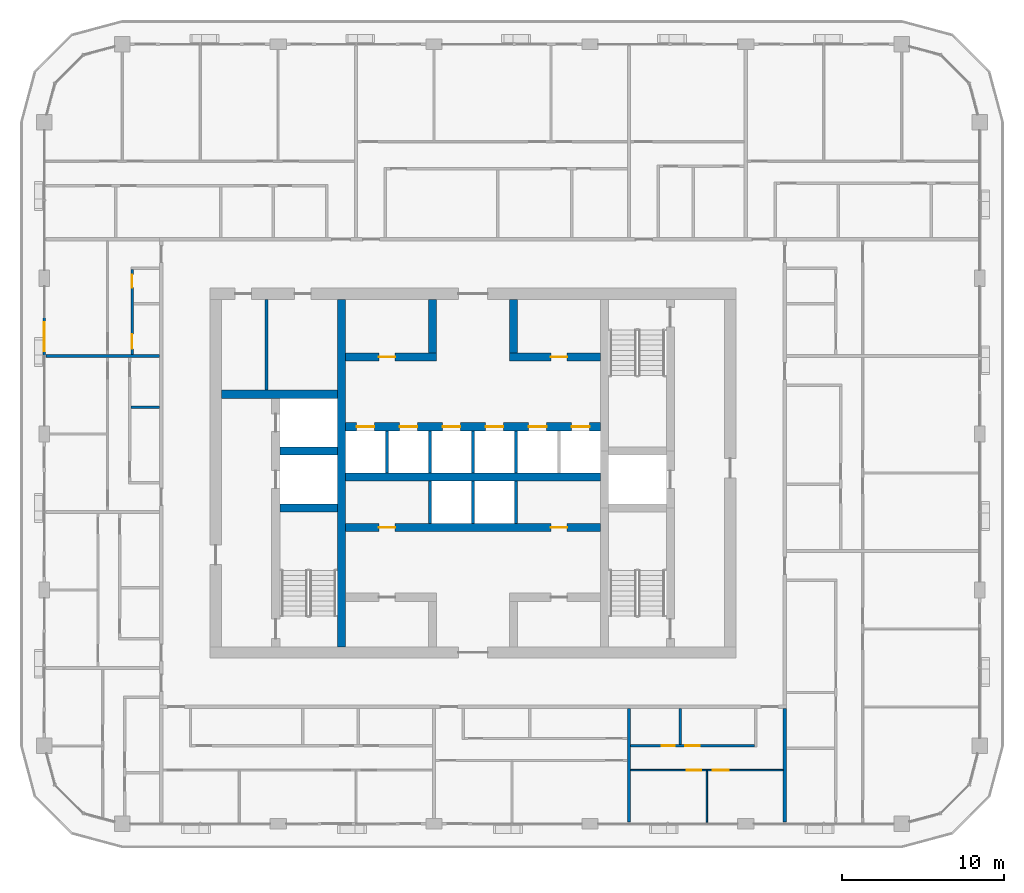
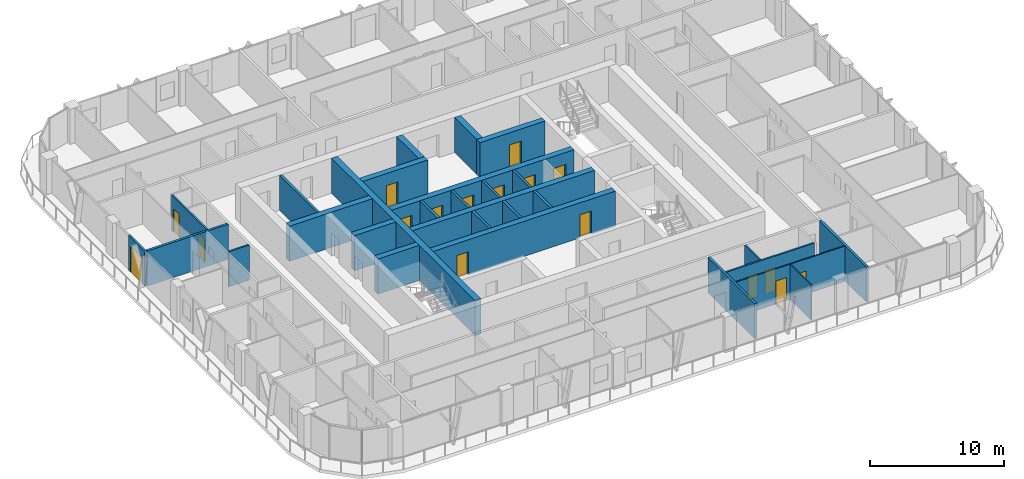
# One storey, part 11 of 22: 29 walls, 17 doors, 17 openings.
"""IFC4 building model written with IfcOpenShell, lengths in metres."""

from ifc_helpers import new_model, si_unit, direction, frame, frame_2d, origin, place, context, subcontext, project, spatial, rectangle, extrude, material, layer, layer_set, type_object, element, fill, save


model = new_model("IFC4")

# Units and contexts
model_context = context("Model", 3, precision=1e-05, world=origin(), true_north=direction((0.0, 1.0)))
body_context = subcontext(model_context, "Body", "Model", "MODEL_VIEW")
ifc_project = project(units=[si_unit("LENGTHUNIT", "METRE"), si_unit("AREAUNIT", "SQUARE_METRE"), si_unit("VOLUMEUNIT", "CUBIC_METRE"), si_unit("PLANEANGLEUNIT", "RADIAN"), si_unit("MASSUNIT", "GRAM", prefix="KILO")], contexts=[model_context])

# Site, building, storey
site_placement = place(None, origin())
site = spatial("IfcSite", under=ifc_project, at=site_placement, CompositionType="ELEMENT")
building_placement = place(site_placement, origin())
building = spatial("IfcBuilding", under=site, at=building_placement, Name="Madar Terraces", CompositionType="ELEMENT")
storey_placement = place(building_placement, frame((0.0, 0.0, 208.800048828125)))
storey = spatial("IfcBuildingStorey", under=building, at=storey_placement, Name="L54", CompositionType="ELEMENT", Elevation=208.800048828125)

# Walls
ifc_material_1 = material(Name="Concrete C60/75", Category="concrete")
ifc_layer_1 = layer(ifc_material_1, 0.5)
ifc_layer_set_1 = layer_set([ifc_layer_1], Name="Concrete C60/75 (CIW4 RC wall 500)")
wall_type_1 = type_object("IfcWallType", Name="CIW4 RC wall 500", PredefinedType="SHEAR", material=ifc_layer_set_1)
wall_1_placement = place(storey_placement, frame((23.10009765625, 15.699951171875, 0.0), z_axis=(0.0, 0.0, 1.0), x_axis=(0.0, 1.0, 0.0)))
element("IfcWall", 1, at=wall_1_placement, inside=storey, type_object=wall_type_1, Name="CORE SHAFT WALL", PredefinedType="SHEAR", context=body_context, shape_type="SweptSolid", body=[
    extrude(rectangle(XDim=21.400146484375, YDim=0.5, at=frame_2d((10.7001953125, 0.0))), origin(), (0.0, 0.0, 1.0), 3.199951171875),
])
for number, where, z_axis, x_axis, name in (
    (2, (19.300048828125, 24.25, 0.0), (0.0, 0.0, 1.0), (1.0, 0.0, 0.0), "CORE SHAFT WALL"),
    (3, (19.300048828125, 27.75, 0.0), (0.0, 0.0, 1.0), (1.0, 0.0, 0.0), "CORE SHAFT WALL"),
):
    element("IfcWall", number, at=place(storey_placement, frame(where, z_axis=z_axis, x_axis=x_axis)), inside=storey, type_object=wall_type_1, Name=name, PredefinedType="SHEAR", context=body_context, shape_type="SweptSolid", body=[
        extrude(rectangle(XDim=3.550048828125, YDim=0.5, at=frame_2d((1.77490234375, 0.0))), origin(), (0.0, 0.0, 1.0), 3.199951171875),
    ])
wall_2_placement = place(storey_placement, frame((15.699951171875, 31.25, 0.0), z_axis=(0.0, 0.0, 1.0), x_axis=(1.0, 0.0, 0.0)))
element("IfcWall", 4, at=wall_2_placement, inside=storey, type_object=wall_type_1, Name="CORE SHAFT WALL", PredefinedType="SHEAR", context=body_context, shape_type="SweptSolid", body=[
    extrude(rectangle(XDim=7.150146484375, YDim=0.5, at=frame_2d((3.5751953125, 0.0))), origin(), (0.0, 0.0, 1.0), 3.199951171875),
])

# Wall, openings, doors
wall_3_placement = place(storey_placement, frame((23.35009765625, 23.050048828125, 0.0), z_axis=(0.0, 0.0, 1.0), x_axis=(1.0, 0.0, 0.0)))
wall_3 = element("IfcWall", 5, at=wall_3_placement, inside=storey, type_object=wall_type_1, Name="CORE SHAFT WALL", PredefinedType="SHEAR", context=body_context, shape_type="SweptSolid", body=[
    extrude(rectangle(XDim=15.699951171875, YDim=0.5, at=frame_2d((7.85009765625, 0.0))), origin(), (0.0, 0.0, 1.0), 3.199951171875),
])
opening_1_placement = place(wall_3_placement, frame((2.050048828125, 0.0, 0.0)))
opening_1 = element("IfcOpeningElement", 6, at=opening_1_placement, cuts=wall_3, Name="Opening KD2", PredefinedType="OPENING", context=body_context, shape_type="SweptSolid", body=[
    extrude(rectangle(XDim=1.0, YDim=2.10009765625, at=frame_2d((0.5, 1.050048828125))), frame((0.0, 0.260009765625, 0.0), z_axis=(0.0, -1.0, 0.0), x_axis=(1.0, 0.0, 0.0)), (0.0, 0.0, 1.0), 0.52001953125),
])
opening_2_placement = place(wall_3_placement, frame((12.64990234375, 0.0, 0.0)))
opening_2 = element("IfcOpeningElement", 7, at=opening_2_placement, cuts=wall_3, Name="Opening KD2", PredefinedType="OPENING", context=body_context, shape_type="SweptSolid", body=[
    extrude(rectangle(XDim=1.0, YDim=2.10009765625, at=frame_2d((0.5, 1.050048828125))), frame((0.0, 0.260009765625, 0.0), z_axis=(0.0, -1.0, 0.0), x_axis=(1.0, 0.0, 0.0)), (0.0, 0.0, 1.0), 0.52001953125),
])
ifc_material_2 = material(Name="Steel door leaf", Category="steel")
door_type_1 = type_object("IfcDoorType", Name="Service room door 1000 x 2100", OperationType="NOTDEFINED", PredefinedType="DOOR", material=ifc_material_2)
door_1_placement = place(opening_1_placement, frame((1.0, 0.0, 0.0), z_axis=(0.0, 0.0, 1.0), x_axis=(-1.0, 0.0, 0.0)))
door_1 = element("IfcDoor", 8, at=door_1_placement, inside=storey, type_object=door_type_1, Name="SERVICE ROOM DOOR", OperationType="SINGLE_SWING_LEFT", OverallHeight=2.10009765625, OverallWidth=1.0, PredefinedType="DOOR", context=body_context, shape_type="SweptSolid", body=[
    extrude(rectangle(XDim=1.0, YDim=2.10009765625, at=frame_2d((0.5, 1.050048828125))), frame((0.0, 0.02490234375, 0.0), z_axis=(0.0, -1.0, 0.0), x_axis=(1.0, 0.0, 0.0)), (0.0, 0.0, 1.0), 0.050048828125),
])
fill(opening_1, door_1)
door_2_placement = place(opening_2_placement, frame((1.0, 0.0, 0.0), z_axis=(0.0, 0.0, 1.0), x_axis=(-1.0, 0.0, 0.0)))
door_2 = element("IfcDoor", 9, at=door_2_placement, inside=storey, type_object=door_type_1, Name="SERVICE ROOM DOOR", OperationType="SINGLE_SWING_RIGHT", OverallHeight=2.10009765625, OverallWidth=1.0, PredefinedType="DOOR", context=body_context, shape_type="SweptSolid", body=[
    extrude(rectangle(XDim=1.0, YDim=2.10009765625, at=frame_2d((0.5, 1.050048828125))), frame((0.0, 0.02490234375, 0.0), z_axis=(0.0, -1.0, 0.0), x_axis=(1.0, 0.0, 0.0)), (0.0, 0.0, 1.0), 0.050048828125),
])
fill(opening_2, door_2)

# Wall
wall_4_placement = place(storey_placement, frame((23.35009765625, 26.14990234375, 0.0), z_axis=(0.0, 0.0, 1.0), x_axis=(1.0, 0.0, 0.0)))
element("IfcWall", 10, at=wall_4_placement, inside=storey, type_object=wall_type_1, Name="CORE SHAFT WALL", PredefinedType="SHEAR", context=body_context, shape_type="SweptSolid", body=[
    extrude(rectangle(XDim=15.699951171875, YDim=0.5, at=frame_2d((7.85009765625, 0.0))), origin(), (0.0, 0.0, 1.0), 3.199951171875),
])

# Wall, openings, doors
wall_5_placement = place(storey_placement, frame((23.35009765625, 29.25, 0.0), z_axis=(0.0, 0.0, 1.0), x_axis=(1.0, 0.0, 0.0)))
wall_5 = element("IfcWall", 11, at=wall_5_placement, inside=storey, type_object=wall_type_1, Name="CORE SHAFT WALL", PredefinedType="SHEAR", context=body_context, shape_type="SweptSolid", body=[
    extrude(rectangle(XDim=15.699951171875, YDim=0.5, at=frame_2d((7.85009765625, 0.0))), origin(), (0.0, 0.0, 1.0), 3.199951171875),
])
opening_3_placement = place(wall_5_placement, frame((0.675048828125, 0.0, 0.0)))
opening_3 = element("IfcOpeningElement", 12, at=opening_3_placement, cuts=wall_5, Name="Opening LD", PredefinedType="OPENING", context=body_context, shape_type="SweptSolid", body=[
    extrude(rectangle(XDim=1.10009765625, YDim=2.10009765625, at=frame_2d((0.550048828125, 1.050048828125))), frame((0.0, 0.260009765625, 0.0), z_axis=(0.0, -1.0, 0.0), x_axis=(1.0, 0.0, 0.0)), (0.0, 0.0, 1.0), 0.52001953125),
])
opening_4_placement = place(wall_5_placement, frame((3.324951171875, 0.0, 0.0)))
opening_4 = element("IfcOpeningElement", 13, at=opening_4_placement, cuts=wall_5, Name="Opening LD", PredefinedType="OPENING", context=body_context, shape_type="SweptSolid", body=[
    extrude(rectangle(XDim=1.10009765625, YDim=2.10009765625, at=frame_2d((0.550048828125, 1.050048828125))), frame((0.0, 0.260009765625, 0.0), z_axis=(0.0, -1.0, 0.0), x_axis=(1.0, 0.0, 0.0)), (0.0, 0.0, 1.0), 0.52001953125),
])
opening_5_placement = place(wall_5_placement, frame((5.97509765625, 0.0, 0.0)))
opening_5 = element("IfcOpeningElement", 14, at=opening_5_placement, cuts=wall_5, Name="Opening LD", PredefinedType="OPENING", context=body_context, shape_type="SweptSolid", body=[
    extrude(rectangle(XDim=1.10009765625, YDim=2.10009765625, at=frame_2d((0.550048828125, 1.050048828125))), frame((0.0, 0.260009765625, 0.0), z_axis=(0.0, -1.0, 0.0), x_axis=(1.0, 0.0, 0.0)), (0.0, 0.0, 1.0), 0.52001953125),
])
opening_6_placement = place(wall_5_placement, frame((8.625, 0.0, 0.0)))
opening_6 = element("IfcOpeningElement", 15, at=opening_6_placement, cuts=wall_5, Name="Opening LD", PredefinedType="OPENING", context=body_context, shape_type="SweptSolid", body=[
    extrude(rectangle(XDim=1.10009765625, YDim=2.10009765625, at=frame_2d((0.550048828125, 1.050048828125))), frame((0.0, 0.260009765625, 0.0), z_axis=(0.0, -1.0, 0.0), x_axis=(1.0, 0.0, 0.0)), (0.0, 0.0, 1.0), 0.52001953125),
])
opening_7_placement = place(wall_5_placement, frame((11.27490234375, 0.0, 0.0)))
opening_7 = element("IfcOpeningElement", 16, at=opening_7_placement, cuts=wall_5, Name="Opening LD", PredefinedType="OPENING", context=body_context, shape_type="SweptSolid", body=[
    extrude(rectangle(XDim=1.10009765625, YDim=2.10009765625, at=frame_2d((0.550048828125, 1.050048828125))), frame((0.0, 0.260009765625, 0.0), z_axis=(0.0, -1.0, 0.0), x_axis=(1.0, 0.0, 0.0)), (0.0, 0.0, 1.0), 0.52001953125),
])
opening_8_placement = place(wall_5_placement, frame((13.925048828125, 0.0, 0.0)))
opening_8 = element("IfcOpeningElement", 17, at=opening_8_placement, cuts=wall_5, Name="Opening LD", PredefinedType="OPENING", context=body_context, shape_type="SweptSolid", body=[
    extrude(rectangle(XDim=1.10009765625, YDim=2.10009765625, at=frame_2d((0.550048828125, 1.050048828125))), frame((0.0, 0.260009765625, 0.0), z_axis=(0.0, -1.0, 0.0), x_axis=(1.0, 0.0, 0.0)), (0.0, 0.0, 1.0), 0.52001953125),
])
ifc_material_3 = material(Name="Stainless steel panel", Category="steel")
door_type_2 = type_object("IfcDoorType", Name="Lift landing door 1100 x 2100", OperationType="DOUBLE_DOOR_SLIDING", PredefinedType="DOOR", material=ifc_material_3)
door_3_placement = place(opening_3_placement, origin())
door_3 = element("IfcDoor", 18, at=door_3_placement, inside=storey, type_object=door_type_2, Name="LIFT LANDING DOOR", OperationType="DOUBLE_DOOR_SLIDING", OverallHeight=2.10009765625, OverallWidth=1.10009765625, PredefinedType="DOOR", context=body_context, shape_type="SweptSolid", body=[
    extrude(rectangle(XDim=1.10009765625, YDim=2.10009765625, at=frame_2d((0.550048828125, 1.050048828125))), frame((0.0, 0.02490234375, 0.0), z_axis=(0.0, -1.0, 0.0), x_axis=(1.0, 0.0, 0.0)), (0.0, 0.0, 1.0), 0.050048828125),
])
fill(opening_3, door_3)
door_4_placement = place(opening_4_placement, origin())
door_4 = element("IfcDoor", 19, at=door_4_placement, inside=storey, type_object=door_type_2, Name="LIFT LANDING DOOR", OperationType="DOUBLE_DOOR_SLIDING", OverallHeight=2.10009765625, OverallWidth=1.10009765625, PredefinedType="DOOR", context=body_context, shape_type="SweptSolid", body=[
    extrude(rectangle(XDim=1.10009765625, YDim=2.10009765625, at=frame_2d((0.550048828125, 1.050048828125))), frame((0.0, 0.02490234375, 0.0), z_axis=(0.0, -1.0, 0.0), x_axis=(1.0, 0.0, 0.0)), (0.0, 0.0, 1.0), 0.050048828125),
])
fill(opening_4, door_4)
door_5_placement = place(opening_5_placement, origin())
door_5 = element("IfcDoor", 20, at=door_5_placement, inside=storey, type_object=door_type_2, Name="LIFT LANDING DOOR", OperationType="DOUBLE_DOOR_SLIDING", OverallHeight=2.10009765625, OverallWidth=1.10009765625, PredefinedType="DOOR", context=body_context, shape_type="SweptSolid", body=[
    extrude(rectangle(XDim=1.10009765625, YDim=2.10009765625, at=frame_2d((0.550048828125, 1.050048828125))), frame((0.0, 0.02490234375, 0.0), z_axis=(0.0, -1.0, 0.0), x_axis=(1.0, 0.0, 0.0)), (0.0, 0.0, 1.0), 0.050048828125),
])
fill(opening_5, door_5)
door_6_placement = place(opening_6_placement, origin())
door_6 = element("IfcDoor", 21, at=door_6_placement, inside=storey, type_object=door_type_2, Name="LIFT LANDING DOOR", OperationType="DOUBLE_DOOR_SLIDING", OverallHeight=2.10009765625, OverallWidth=1.10009765625, PredefinedType="DOOR", context=body_context, shape_type="SweptSolid", body=[
    extrude(rectangle(XDim=1.10009765625, YDim=2.10009765625, at=frame_2d((0.550048828125, 1.050048828125))), frame((0.0, 0.02490234375, 0.0), z_axis=(0.0, -1.0, 0.0), x_axis=(1.0, 0.0, 0.0)), (0.0, 0.0, 1.0), 0.050048828125),
])
fill(opening_6, door_6)
door_7_placement = place(opening_7_placement, origin())
door_7 = element("IfcDoor", 22, at=door_7_placement, inside=storey, type_object=door_type_2, Name="LIFT LANDING DOOR", OperationType="DOUBLE_DOOR_SLIDING", OverallHeight=2.10009765625, OverallWidth=1.10009765625, PredefinedType="DOOR", context=body_context, shape_type="SweptSolid", body=[
    extrude(rectangle(XDim=1.10009765625, YDim=2.10009765625, at=frame_2d((0.550048828125, 1.050048828125))), frame((0.0, 0.02490234375, 0.0), z_axis=(0.0, -1.0, 0.0), x_axis=(1.0, 0.0, 0.0)), (0.0, 0.0, 1.0), 0.050048828125),
])
fill(opening_7, door_7)
door_8_placement = place(opening_8_placement, origin())
door_8 = element("IfcDoor", 23, at=door_8_placement, inside=storey, type_object=door_type_2, Name="LIFT LANDING DOOR", OperationType="DOUBLE_DOOR_SLIDING", OverallHeight=2.10009765625, OverallWidth=1.10009765625, PredefinedType="DOOR", context=body_context, shape_type="SweptSolid", body=[
    extrude(rectangle(XDim=1.10009765625, YDim=2.10009765625, at=frame_2d((0.550048828125, 1.050048828125))), frame((0.0, 0.02490234375, 0.0), z_axis=(0.0, -1.0, 0.0), x_axis=(1.0, 0.0, 0.0)), (0.0, 0.0, 1.0), 0.050048828125),
])
fill(opening_8, door_8)

# Wall, opening, door
wall_6_placement = place(storey_placement, frame((23.35009765625, 33.550048828125, 0.0), z_axis=(0.0, 0.0, 1.0), x_axis=(1.0, 0.0, 0.0)))
wall_6 = element("IfcWall", 24, at=wall_6_placement, inside=storey, type_object=wall_type_1, Name="CORE SHAFT WALL", PredefinedType="SHEAR", context=body_context, shape_type="SweptSolid", body=[
    extrude(rectangle(XDim=5.599853515625, YDim=0.5, at=frame_2d((2.7998046875, 0.0))), origin(), (0.0, 0.0, 1.0), 3.199951171875),
])
opening_9_placement = place(wall_6_placement, frame((2.050048828125, 0.0, 0.0)))
opening_9 = element("IfcOpeningElement", 25, at=opening_9_placement, cuts=wall_6, Name="Opening KD2", PredefinedType="OPENING", context=body_context, shape_type="SweptSolid", body=[
    extrude(rectangle(XDim=1.0, YDim=2.10009765625, at=frame_2d((0.5, 1.050048828125))), frame((0.0, 0.260009765625, 0.0), z_axis=(0.0, -1.0, 0.0), x_axis=(1.0, 0.0, 0.0)), (0.0, 0.0, 1.0), 0.52001953125),
])
door_9_placement = place(opening_9_placement, frame((1.0, 0.0, 0.0), z_axis=(0.0, 0.0, 1.0), x_axis=(-1.0, 0.0, 0.0)))
door_9 = element("IfcDoor", 26, at=door_9_placement, inside=storey, type_object=door_type_1, Name="SERVICE ROOM DOOR", OperationType="SINGLE_SWING_LEFT", OverallHeight=2.10009765625, OverallWidth=1.0, PredefinedType="DOOR", context=body_context, shape_type="SweptSolid", body=[
    extrude(rectangle(XDim=1.0, YDim=2.10009765625, at=frame_2d((0.5, 1.050048828125))), frame((0.0, 0.02490234375, 0.0), z_axis=(0.0, -1.0, 0.0), x_axis=(1.0, 0.0, 0.0)), (0.0, 0.0, 1.0), 0.050048828125),
])
fill(opening_9, door_9)

wall_7_placement = place(storey_placement, frame((33.449951171875, 33.550048828125, 0.0), z_axis=(0.0, 0.0, 1.0), x_axis=(1.0, 0.0, 0.0)))
wall_7 = element("IfcWall", 27, at=wall_7_placement, inside=storey, type_object=wall_type_1, Name="CORE SHAFT WALL", PredefinedType="SHEAR", context=body_context, shape_type="SweptSolid", body=[
    extrude(rectangle(XDim=5.60009765625, YDim=0.5, at=frame_2d((2.800048828125, 0.0))), origin(), (0.0, 0.0, 1.0), 3.199951171875),
])
opening_10_placement = place(wall_7_placement, frame((2.550048828125, 0.0, 0.0)))
opening_10 = element("IfcOpeningElement", 28, at=opening_10_placement, cuts=wall_7, Name="Opening KD2", PredefinedType="OPENING", context=body_context, shape_type="SweptSolid", body=[
    extrude(rectangle(XDim=1.0, YDim=2.10009765625, at=frame_2d((0.5, 1.050048828125))), frame((0.0, 0.260009765625, 0.0), z_axis=(0.0, -1.0, 0.0), x_axis=(1.0, 0.0, 0.0)), (0.0, 0.0, 1.0), 0.52001953125),
])
door_10_placement = place(opening_10_placement, frame((1.0, 0.0, 0.0), z_axis=(0.0, 0.0, 1.0), x_axis=(-1.0, 0.0, 0.0)))
door_10 = element("IfcDoor", 29, at=door_10_placement, inside=storey, type_object=door_type_1, Name="SERVICE ROOM DOOR", OperationType="SINGLE_SWING_RIGHT", OverallHeight=2.10009765625, OverallWidth=1.0, PredefinedType="DOOR", context=body_context, shape_type="SweptSolid", body=[
    extrude(rectangle(XDim=1.0, YDim=2.10009765625, at=frame_2d((0.5, 1.050048828125))), frame((0.0, 0.02490234375, 0.0), z_axis=(0.0, -1.0, 0.0), x_axis=(1.0, 0.0, 0.0)), (0.0, 0.0, 1.0), 0.050048828125),
])
fill(opening_10, door_10)

# Walls
for number, where, z_axis, x_axis, name in (
    (30, (28.699951171875, 33.800048828125, 0.0), (0.0, 0.0, 1.0), (0.0, 1.0, 0.0), "CORE SHAFT WALL"),
    (31, (33.699951171875, 33.800048828125, 0.0), (0.0, 0.0, 1.0), (0.0, 1.0, 0.0), "CORE SHAFT WALL"),
):
    element("IfcWall", number, at=place(storey_placement, frame(where, z_axis=z_axis, x_axis=x_axis)), inside=storey, type_object=wall_type_1, Name=name, PredefinedType="SHEAR", context=body_context, shape_type="SweptSolid", body=[
        extrude(rectangle(XDim=3.300048828125, YDim=0.5, at=frame_2d((1.64990234375, 0.0))), origin(), (0.0, 0.0, 1.0), 3.199951171875),
    ])
ifc_material_4 = material(Name="Masonry blockwork", Category="masonry")
ifc_layer_2 = layer(ifc_material_4, 0.199951171875)
ifc_layer_set_2 = layer_set([ifc_layer_2], Name="Core partition 200 blockwork")
wall_type_2 = type_object("IfcWallType", Name="Core partition 200 blockwork", PredefinedType="PARTITIONING", material=ifc_layer_set_2)
wall_8_placement = place(storey_placement, frame((18.488525390625, 31.5, 0.0), z_axis=(0.0, 0.0, 1.0), x_axis=(0.0, 1.0, 0.0)))
element("IfcWall", 32, at=wall_8_placement, inside=storey, type_object=wall_type_2, Name="SERVICE ROOM PARTITION", PredefinedType="PARTITIONING", context=body_context, shape_type="SweptSolid", body=[
    extrude(rectangle(XDim=5.60009765625, YDim=0.199951171875, at=frame_2d((2.800048828125, 0.0))), origin(), (0.0, 0.0, 1.0), 3.199951171875),
])
ifc_material_5 = material(Name="Concrete C40/50", Category="concrete")
ifc_layer_3 = layer(ifc_material_5, 0.199951171875)
ifc_layer_set_3 = layer_set([ifc_layer_3], Name="Core shaft dividing wall 200 C40/50")
wall_type_3 = type_object("IfcWallType", Name="Core shaft dividing wall 200 C40/50", PredefinedType="SOLIDWALL", material=ifc_layer_set_3)
wall_9_placement = place(storey_placement, frame((25.89990234375, 26.39990234375, 0.0), z_axis=(0.0, 0.0, 1.0), x_axis=(0.0, 1.0, 0.0)))
element("IfcWall", 33, at=wall_9_placement, inside=storey, type_object=wall_type_3, Name="SHAFT DIVIDING WALL", PredefinedType="SOLIDWALL", context=body_context, shape_type="SweptSolid", body=[
    extrude(rectangle(XDim=2.60009765625, YDim=0.199951171875, at=frame_2d((1.300048828125, 0.0))), origin(), (0.0, 0.0, 1.0), 3.199951171875),
])
wall_10_placement = place(storey_placement, frame((28.550048828125, 23.300048828125, 0.0), z_axis=(0.0, 0.0, 1.0), x_axis=(0.0, 1.0, 0.0)))
element("IfcWall", 34, at=wall_10_placement, inside=storey, type_object=wall_type_3, Name="SHAFT DIVIDING WALL", PredefinedType="SOLIDWALL", context=body_context, shape_type="SweptSolid", body=[
    extrude(rectangle(XDim=2.599853515625, YDim=0.199951171875, at=frame_2d((1.2998046875, 0.0))), origin(), (0.0, 0.0, 1.0), 3.199951171875),
])
wall_11_placement = place(storey_placement, frame((28.550048828125, 26.39990234375, 0.0), z_axis=(0.0, 0.0, 1.0), x_axis=(0.0, 1.0, 0.0)))
element("IfcWall", 35, at=wall_11_placement, inside=storey, type_object=wall_type_3, Name="SHAFT DIVIDING WALL", PredefinedType="SOLIDWALL", context=body_context, shape_type="SweptSolid", body=[
    extrude(rectangle(XDim=2.60009765625, YDim=0.199951171875, at=frame_2d((1.300048828125, 0.0))), origin(), (0.0, 0.0, 1.0), 3.199951171875),
])
wall_12_placement = place(storey_placement, frame((31.199951171875, 23.300048828125, 0.0), z_axis=(0.0, 0.0, 1.0), x_axis=(0.0, 1.0, 0.0)))
element("IfcWall", 36, at=wall_12_placement, inside=storey, type_object=wall_type_3, Name="SHAFT DIVIDING WALL", PredefinedType="SOLIDWALL", context=body_context, shape_type="SweptSolid", body=[
    extrude(rectangle(XDim=2.599853515625, YDim=0.199951171875, at=frame_2d((1.2998046875, 0.0))), origin(), (0.0, 0.0, 1.0), 3.199951171875),
])
wall_13_placement = place(storey_placement, frame((31.199951171875, 26.39990234375, 0.0), z_axis=(0.0, 0.0, 1.0), x_axis=(0.0, 1.0, 0.0)))
element("IfcWall", 37, at=wall_13_placement, inside=storey, type_object=wall_type_3, Name="SHAFT DIVIDING WALL", PredefinedType="SOLIDWALL", context=body_context, shape_type="SweptSolid", body=[
    extrude(rectangle(XDim=2.60009765625, YDim=0.199951171875, at=frame_2d((1.300048828125, 0.0))), origin(), (0.0, 0.0, 1.0), 3.199951171875),
])
wall_14_placement = place(storey_placement, frame((33.85009765625, 23.300048828125, 0.0), z_axis=(0.0, 0.0, 1.0), x_axis=(0.0, 1.0, 0.0)))
element("IfcWall", 38, at=wall_14_placement, inside=storey, type_object=wall_type_3, Name="SHAFT DIVIDING WALL", PredefinedType="SOLIDWALL", context=body_context, shape_type="SweptSolid", body=[
    extrude(rectangle(XDim=2.599853515625, YDim=0.199951171875, at=frame_2d((1.2998046875, 0.0))), origin(), (0.0, 0.0, 1.0), 3.199951171875),
])
wall_15_placement = place(storey_placement, frame((33.85009765625, 26.39990234375, 0.0), z_axis=(0.0, 0.0, 1.0), x_axis=(0.0, 1.0, 0.0)))
element("IfcWall", 39, at=wall_15_placement, inside=storey, type_object=wall_type_3, Name="SHAFT DIVIDING WALL", PredefinedType="SOLIDWALL", context=body_context, shape_type="SweptSolid", body=[
    extrude(rectangle(XDim=2.60009765625, YDim=0.199951171875, at=frame_2d((1.300048828125, 0.0))), origin(), (0.0, 0.0, 1.0), 3.199951171875),
])

# Wall, opening, door
ifc_material_6 = material(Name="Aluminium composite panel, black, over insulated backing", Category="aluminium")
ifc_layer_4 = layer(ifc_material_6, 0.14990234375)
ifc_layer_set_4 = layer_set([ifc_layer_4], Name="Facade bay panel 150")
wall_type_4 = type_object("IfcWallType", Name="Facade bay panel 150", PredefinedType="SOLIDWALL", material=ifc_layer_set_4)
wall_16_placement = place(storey_placement, frame((4.800048828125, 36.0, 0.0), z_axis=(0.0, 0.0, 1.0), x_axis=(0.0, -1.0, 0.0)))
wall_16 = element("IfcWall", 40, at=wall_16_placement, inside=storey, type_object=wall_type_4, Name="Facade bay panel", PredefinedType="SOLIDWALL", context=body_context, shape_type="SweptSolid", body=[
    extrude(rectangle(XDim=2.39990234375, YDim=0.14990234375, at=frame_2d((1.199951171875, 0.0))), origin(), (0.0, 0.0, 1.0), 3.199951171875),
])
opening_11_placement = place(wall_16_placement, frame((0.300048828125, 0.0, 0.0)))
opening_11 = element("IfcOpeningElement", 41, at=opening_11_placement, cuts=wall_16, Name="Opening ED1", PredefinedType="OPENING", context=body_context, shape_type="SweptSolid", body=[
    extrude(rectangle(XDim=1.800048828125, YDim=2.39990234375, at=frame_2d((0.89990234375, 1.199951171875))), frame((0.0, 0.0849609375, 0.0), z_axis=(0.0, -1.0, 0.0), x_axis=(1.0, 0.0, 0.0)), (0.0, 0.0, 1.0), 0.169921875),
])
ifc_material_7 = material(Name="Glass, clear, with black aluminium frame", Category="aluminium")
door_type_3 = type_object("IfcDoorType", Name="Balcony and terrace sliding door 1800 x 2400", OperationType="SLIDING_TO_LEFT", PredefinedType="DOOR", material=ifc_material_7)
door_11_placement = place(opening_11_placement, origin())
door_11 = element("IfcDoor", 42, at=door_11_placement, inside=storey, type_object=door_type_3, Name="Balcony door", OperationType="SLIDING_TO_LEFT", OverallHeight=2.39990234375, OverallWidth=1.800048828125, PredefinedType="DOOR", context=body_context, shape_type="SweptSolid", body=[
    extrude(rectangle(XDim=1.800048828125, YDim=2.39990234375, at=frame_2d((0.89990234375, 1.199951171875))), frame((0.0, 0.02490234375, 0.0), z_axis=(0.0, -1.0, 0.0), x_axis=(1.0, 0.0, 0.0)), (0.0, 0.0, 1.0), 0.050048828125),
])
fill(opening_11, door_11)

# Wall
ifc_material_8 = material(Name="Gypsum board on steel studs", Category="steel")
ifc_layer_5 = layer(ifc_material_8, 0.10009765625)
ifc_layer_set_5 = layer_set([ifc_layer_5], Name="Flat partition 100")
wall_type_5 = type_object("IfcWallType", Name="Flat partition 100", PredefinedType="PARTITIONING", material=ifc_layer_set_5)
wall_17_placement = place(storey_placement, frame((45.60009765625, 8.050048828125, 0.0), z_axis=(0.0, 0.0, 1.0), x_axis=(0.0, -1.0, 0.0)))
element("IfcWall", 43, at=wall_17_placement, inside=storey, type_object=wall_type_5, Name="Flat partition 100", PredefinedType="PARTITIONING", context=body_context, shape_type="SweptSolid", body=[
    extrude(rectangle(XDim=3.150146484375, YDim=0.10009765625, at=frame_2d((1.5751953125, 0.0))), origin(), (0.0, 0.0, 1.0), 3.199951171875),
])

# Wall, openings, doors
wall_18_placement = place(storey_placement, frame((50.300048828125, 8.10009765625, 0.0), z_axis=(0.0, 0.0, 1.0), x_axis=(-1.0, 0.0, 0.0)))
wall_18 = element("IfcWall", 44, at=wall_18_placement, inside=storey, type_object=wall_type_5, Name="Flat partition 100", PredefinedType="PARTITIONING", context=body_context, shape_type="SweptSolid", body=[
    extrude(rectangle(XDim=9.400146484375, YDim=0.10009765625, at=frame_2d((4.7001953125, 0.0))), origin(), (0.0, 0.0, 1.0), 3.199951171875),
])
opening_12_placement = place(wall_18_placement, frame((3.35009765625, 0.0, 0.0)))
opening_12 = element("IfcOpeningElement", 45, at=opening_12_placement, cuts=wall_18, Name="Opening D3", PredefinedType="OPENING", context=body_context, shape_type="SweptSolid", body=[
    extrude(rectangle(XDim=1.0, YDim=2.10009765625, at=frame_2d((0.5, 1.050048828125))), frame((0.0, 0.06005859375, 0.0), z_axis=(0.0, -1.0, 0.0), x_axis=(1.0, 0.0, 0.0)), (0.0, 0.0, 1.0), 0.1201171875),
])
opening_13_placement = place(wall_18_placement, frame((5.050048828125, 0.0, 0.0)))
opening_13 = element("IfcOpeningElement", 46, at=opening_13_placement, cuts=wall_18, Name="Opening D2", PredefinedType="OPENING", context=body_context, shape_type="SweptSolid", body=[
    extrude(rectangle(XDim=0.89990234375, YDim=2.10009765625, at=frame_2d((0.449951171875, 1.050048828125))), frame((0.0, 0.06005859375, 0.0), z_axis=(0.0, -1.0, 0.0), x_axis=(1.0, 0.0, 0.0)), (0.0, 0.0, 1.0), 0.1201171875),
])
ifc_material_9 = material(Name="Timber door leaf", Category="wood")
door_type_4 = type_object("IfcDoorType", Name="Flat living room door 1000", OperationType="NOTDEFINED", PredefinedType="DOOR", material=ifc_material_9)
door_12_placement = place(opening_12_placement, origin())
door_12 = element("IfcDoor", 47, at=door_12_placement, inside=storey, type_object=door_type_4, Name="Flat living room door 1000", OperationType="SINGLE_SWING_RIGHT", OverallHeight=2.10009765625, OverallWidth=1.0, PredefinedType="DOOR", context=body_context, shape_type="SweptSolid", body=[
    extrude(rectangle(XDim=1.0, YDim=2.10009765625, at=frame_2d((0.5, 1.050048828125))), frame((0.0, 0.02490234375, 0.0), z_axis=(0.0, -1.0, 0.0), x_axis=(1.0, 0.0, 0.0)), (0.0, 0.0, 1.0), 0.050048828125),
])
fill(opening_12, door_12)
ifc_material_10 = material(Name="Timber door leaf", Category="wood")
door_type_5 = type_object("IfcDoorType", Name="Flat room door 900", OperationType="NOTDEFINED", PredefinedType="DOOR", material=ifc_material_10)
door_13_placement = place(opening_13_placement, origin())
door_13 = element("IfcDoor", 48, at=door_13_placement, inside=storey, type_object=door_type_5, Name="Flat room door 900", OperationType="SINGLE_SWING_LEFT", OverallHeight=2.10009765625, OverallWidth=0.89990234375, PredefinedType="DOOR", context=body_context, shape_type="SweptSolid", body=[
    extrude(rectangle(XDim=0.89990234375, YDim=2.10009765625, at=frame_2d((0.449951171875, 1.050048828125))), frame((0.0, 0.02490234375, 0.0), z_axis=(0.0, -1.0, 0.0), x_axis=(1.0, 0.0, 0.0)), (0.0, 0.0, 1.0), 0.050048828125),
])
fill(opening_13, door_13)

# Walls
ifc_material_11 = material(Name="Lightweight blockwork", Category="masonry")
ifc_layer_6 = layer(ifc_material_11, 0.199951171875)
ifc_layer_set_6 = layer_set([ifc_layer_6], Name="Flat party and entrance wall 200")
wall_type_6 = type_object("IfcWallType", Name="Flat party and entrance wall 200", PredefinedType="PARTITIONING", material=ifc_layer_set_6)
for number, where, z_axis, x_axis, name in (
    (49, (40.800048828125, 11.89990234375, 0.0), (0.0, 0.0, 1.0), (0.0, -1.0, 0.0), "Flat party and entrance wall 200"),
    (50, (50.39990234375, 11.89990234375, 0.0), (0.0, 0.0, 1.0), (0.0, -1.0, 0.0), "Flat party and entrance wall 200"),
    (51, (4.89990234375, 33.60009765625, 0.0), (0.0, 0.0, 1.0), (1.0, 0.0, 0.0), "Flat party and entrance wall 200"),
):
    element("IfcWall", number, at=place(storey_placement, frame(where, z_axis=z_axis, x_axis=x_axis)), inside=storey, type_object=wall_type_6, Name=name, PredefinedType="PARTITIONING", context=body_context, shape_type="SweptSolid", body=[
        extrude(rectangle(XDim=7.0, YDim=0.199951171875, at=frame_2d((3.5, 0.0))), origin(), (0.0, 0.0, 1.0), 3.199951171875),
    ])
ifc_material_12 = material(Name="Lightweight blockwork", Category="masonry")
ifc_layer_7 = layer(ifc_material_12, 0.14990234375)
ifc_layer_set_7 = layer_set([ifc_layer_7], Name="Flat wet-room partition 150")
wall_type_7 = type_object("IfcWallType", Name="Flat wet-room partition 150", PredefinedType="PARTITIONING", material=ifc_layer_set_7)
wall_19_placement = place(storey_placement, frame((43.949951171875, 11.89990234375, 0.0), z_axis=(0.0, 0.0, 1.0), x_axis=(0.0, -1.0, 0.0)))
element("IfcWall", 52, at=wall_19_placement, inside=storey, type_object=wall_type_7, Name="Flat wet-room partition 150", PredefinedType="PARTITIONING", context=body_context, shape_type="SweptSolid", body=[
    extrude(rectangle(XDim=2.224853515625, YDim=0.14990234375, at=frame_2d((1.1123046875, 0.0))), origin(), (0.0, 0.0, 1.0), 3.199951171875),
])

# Wall, openings, doors
wall_20_placement = place(storey_placement, frame((40.89990234375, 9.60009765625, 0.0), z_axis=(0.0, 0.0, 1.0), x_axis=(1.0, 0.0, 0.0)))
wall_20 = element("IfcWall", 53, at=wall_20_placement, inside=storey, type_object=wall_type_7, Name="Flat wet-room partition 150", PredefinedType="PARTITIONING", context=body_context, shape_type="SweptSolid", body=[
    extrude(rectangle(XDim=7.625, YDim=0.14990234375, at=frame_2d((3.8125, 0.0))), origin(), (0.0, 0.0, 1.0), 3.199951171875),
])
opening_14_placement = place(wall_20_placement, frame((3.375, 0.0, 0.0)))
opening_14 = element("IfcOpeningElement", 54, at=opening_14_placement, cuts=wall_20, Name="Opening D2", PredefinedType="OPENING", context=body_context, shape_type="SweptSolid", body=[
    extrude(rectangle(XDim=0.89990234375, YDim=2.10009765625, at=frame_2d((0.449951171875, 1.050048828125))), frame((0.0, 0.0849609375, 0.0), z_axis=(0.0, -1.0, 0.0), x_axis=(1.0, 0.0, 0.0)), (0.0, 0.0, 1.0), 0.169921875),
])
opening_15_placement = place(wall_20_placement, frame((1.925048828125, 0.0, 0.0)))
opening_15 = element("IfcOpeningElement", 55, at=opening_15_placement, cuts=wall_20, Name="Opening D4", PredefinedType="OPENING", context=body_context, shape_type="SweptSolid", body=[
    extrude(rectangle(XDim=0.800048828125, YDim=2.10009765625, at=frame_2d((0.39990234375, 1.050048828125))), frame((0.0, 0.0849609375, 0.0), z_axis=(0.0, -1.0, 0.0), x_axis=(1.0, 0.0, 0.0)), (0.0, 0.0, 1.0), 0.169921875),
])
ifc_material_13 = material(Name="Timber door leaf", Category="wood")
door_type_6 = type_object("IfcDoorType", Name="Flat bathroom door 800", OperationType="NOTDEFINED", PredefinedType="DOOR", material=ifc_material_13)
door_14_placement = place(opening_15_placement, origin())
door_14 = element("IfcDoor", 56, at=door_14_placement, inside=storey, type_object=door_type_6, Name="Flat bathroom door 800", OperationType="SINGLE_SWING_RIGHT", OverallHeight=2.10009765625, OverallWidth=0.800048828125, PredefinedType="DOOR", context=body_context, shape_type="SweptSolid", body=[
    extrude(rectangle(XDim=0.800048828125, YDim=2.10009765625, at=frame_2d((0.39990234375, 1.050048828125))), frame((0.0, 0.02490234375, 0.0), z_axis=(0.0, -1.0, 0.0), x_axis=(1.0, 0.0, 0.0)), (0.0, 0.0, 1.0), 0.050048828125),
])
fill(opening_15, door_14)
door_15_placement = place(opening_14_placement, origin())
door_15 = element("IfcDoor", 57, at=door_15_placement, inside=storey, type_object=door_type_5, Name="Flat room door 900", OperationType="SINGLE_SWING_LEFT", OverallHeight=2.10009765625, OverallWidth=0.89990234375, PredefinedType="DOOR", context=body_context, shape_type="SweptSolid", body=[
    extrude(rectangle(XDim=0.89990234375, YDim=2.10009765625, at=frame_2d((0.449951171875, 1.050048828125))), frame((0.0, 0.02490234375, 0.0), z_axis=(0.0, -1.0, 0.0), x_axis=(1.0, 0.0, 0.0)), (0.0, 0.0, 1.0), 0.050048828125),
])
fill(opening_14, door_15)

wall_21_placement = place(storey_placement, frame((10.199951171875, 38.925048828125, 0.0), z_axis=(0.0, 0.0, 1.0), x_axis=(0.0, -1.0, 0.0)))
wall_21 = element("IfcWall", 58, at=wall_21_placement, inside=storey, type_object=wall_type_7, Name="Flat wet-room partition 150", PredefinedType="PARTITIONING", context=body_context, shape_type="SweptSolid", body=[
    extrude(rectangle(XDim=5.22509765625, YDim=0.14990234375, at=frame_2d((2.612548828125, 0.0))), origin(), (0.0, 0.0, 1.0), 3.199951171875),
])
opening_16_placement = place(wall_21_placement, frame((0.300048828125, 0.0, 0.0)))
opening_16 = element("IfcOpeningElement", 59, at=opening_16_placement, cuts=wall_21, Name="Opening D4", PredefinedType="OPENING", context=body_context, shape_type="SweptSolid", body=[
    extrude(rectangle(XDim=0.800048828125, YDim=2.10009765625, at=frame_2d((0.39990234375, 1.050048828125))), frame((0.0, 0.0849609375, 0.0), z_axis=(0.0, -1.0, 0.0), x_axis=(1.0, 0.0, 0.0)), (0.0, 0.0, 1.0), 0.169921875),
])
opening_17_placement = place(wall_21_placement, frame((3.97509765625, 0.0, 0.0)))
opening_17 = element("IfcOpeningElement", 60, at=opening_17_placement, cuts=wall_21, Name="Opening D2", PredefinedType="OPENING", context=body_context, shape_type="SweptSolid", body=[
    extrude(rectangle(XDim=0.89990234375, YDim=2.10009765625, at=frame_2d((0.449951171875, 1.050048828125))), frame((0.0, 0.0849609375, 0.0), z_axis=(0.0, -1.0, 0.0), x_axis=(1.0, 0.0, 0.0)), (0.0, 0.0, 1.0), 0.169921875),
])
door_16_placement = place(opening_16_placement, origin())
door_16 = element("IfcDoor", 61, at=door_16_placement, inside=storey, type_object=door_type_6, Name="Flat bathroom door 800", OperationType="SINGLE_SWING_LEFT", OverallHeight=2.10009765625, OverallWidth=0.800048828125, PredefinedType="DOOR", context=body_context, shape_type="SweptSolid", body=[
    extrude(rectangle(XDim=0.800048828125, YDim=2.10009765625, at=frame_2d((0.39990234375, 1.050048828125))), frame((0.0, 0.02490234375, 0.0), z_axis=(0.0, -1.0, 0.0), x_axis=(1.0, 0.0, 0.0)), (0.0, 0.0, 1.0), 0.050048828125),
])
fill(opening_16, door_16)
door_17_placement = place(opening_17_placement, origin())
door_17 = element("IfcDoor", 62, at=door_17_placement, inside=storey, type_object=door_type_5, Name="Flat room door 900", OperationType="SINGLE_SWING_RIGHT", OverallHeight=2.10009765625, OverallWidth=0.89990234375, PredefinedType="DOOR", context=body_context, shape_type="SweptSolid", body=[
    extrude(rectangle(XDim=0.89990234375, YDim=2.10009765625, at=frame_2d((0.449951171875, 1.050048828125))), frame((0.0, 0.02490234375, 0.0), z_axis=(0.0, -1.0, 0.0), x_axis=(1.0, 0.0, 0.0)), (0.0, 0.0, 1.0), 0.050048828125),
])
fill(opening_17, door_17)

# Wall
wall_22_placement = place(storey_placement, frame((11.89990234375, 30.449951171875, 0.0), z_axis=(0.0, 0.0, 1.0), x_axis=(-1.0, 0.0, 0.0)))
element("IfcWall", 63, at=wall_22_placement, inside=storey, type_object=wall_type_7, Name="Flat wet-room partition 150", PredefinedType="PARTITIONING", context=body_context, shape_type="SweptSolid", body=[
    extrude(rectangle(XDim=1.77490234375, YDim=0.14990234375, at=frame_2d((0.887451171875, 0.0))), origin(), (0.0, 0.0, 1.0), 3.199951171875),
])

save(model, "model.ifc")
